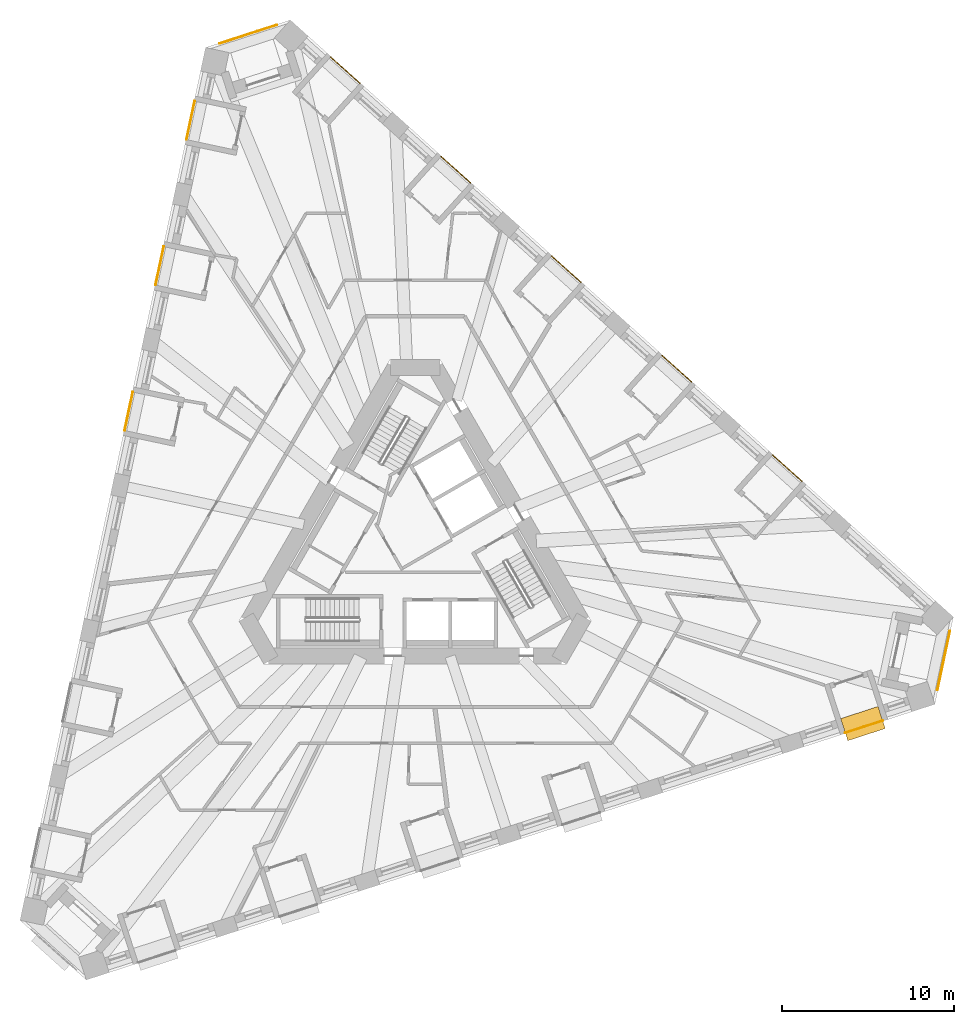
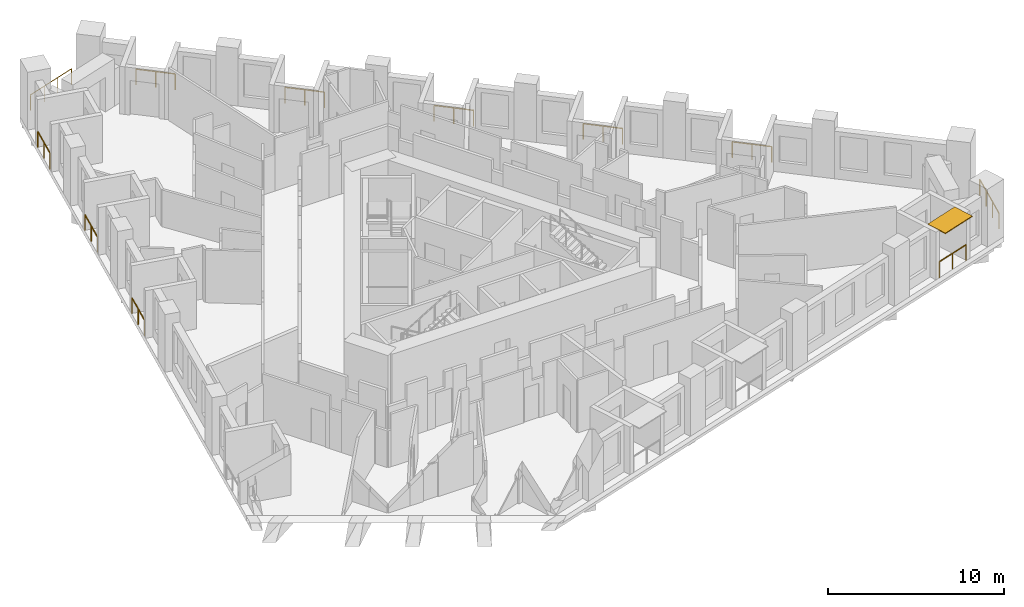
# One storey, part 13 of 13: 11 railings, 1 shading device.
"""IFC4 building model written with IfcOpenShell, lengths in metres."""

from ifc_helpers import new_model, si_unit, direction, frame, origin, origin_2d, place, context, subcontext, project, spatial, rectangle, circle, extrude, material, layer, layer_set, type_object, element, save


model = new_model("IFC4")

# Units and contexts
model_context = context("Model", 3, precision=1e-05, world=origin(), true_north=direction((0.0, 1.0)))
body_context = subcontext(model_context, "Body", "Model", "MODEL_VIEW")
ifc_project = project(units=[si_unit("LENGTHUNIT", "METRE"), si_unit("AREAUNIT", "SQUARE_METRE"), si_unit("VOLUMEUNIT", "CUBIC_METRE"), si_unit("PLANEANGLEUNIT", "RADIAN"), si_unit("MASSUNIT", "GRAM", prefix="KILO")], contexts=[model_context])

# Site, building, storey
site_placement = place(None, origin())
site = spatial("IfcSite", under=ifc_project, at=site_placement, CompositionType="ELEMENT")
building_placement = place(site_placement, origin())
building = spatial("IfcBuilding", under=site, at=building_placement, Name="Tramontana Tower", CompositionType="ELEMENT")
storey_placement = place(building_placement, frame((0.0, 0.0, 100.39990234375)))
storey = spatial("IfcBuildingStorey", under=building, at=storey_placement, Name="L22", CompositionType="ELEMENT", Elevation=100.39990234375)

# Railings
ifc_material_1 = material(Name="Laminated glass balustrade", Category="glass")
railing_type = type_object("IfcRailingType", Name="GD1 Loggia glass balustrade 1100", PredefinedType="BALUSTRADE", material=ifc_material_1)
railing_1_placement = place(storey_placement, frame((-12.838134765625, 26.031982421875, 0.0)))
element("IfcRailing", 1, at=railing_1_placement, inside=storey, type_object=railing_type, Name="Loggia balustrade L22 G2S0.1", PredefinedType="BALUSTRADE", context=body_context, shape_type="SweptSolid", body=[
    extrude(circle(Radius=0.02392578125, at=origin_2d()), frame((0.0, 0.0, 1.076171875), z_axis=(-0.207990282514, -0.978130892253, 0.0), x_axis=(0.978130892253, -0.207990282514, 0.0)), (0.0, 0.0, 1.0), 2.28662109375),
    extrude(circle(Radius=0.02099609375, at=origin_2d()), origin(), (0.0, 0.0, 1.0), 1.052001953125),
    extrude(circle(Radius=0.02099609375, at=origin_2d()), frame((-0.23779296875, -1.1181640625, 0.0)), (0.0, 0.0, 1.0), 1.052001953125),
    extrude(circle(Radius=0.02099609375, at=origin_2d()), frame((-0.4755859375, -2.236572265625, 0.0)), (0.0, 0.0, 1.0), 1.052001953125),
])
for number, where, name in (
    (2, (-14.638671875, 17.56103515625, 0.0), "Loggia balustrade L22 G2S0.4"),
    (3, (-16.439208984375, 9.090087890625, 0.0), "Loggia balustrade L22 G2S0.7"),
):
    element("IfcRailing", number, at=place(storey_placement, frame(where)), inside=storey, type_object=railing_type, Name=name, PredefinedType="BALUSTRADE", context=body_context, shape_type="SweptSolid", body=[
        extrude(circle(Radius=0.02392578125, at=origin_2d()), frame((0.0, 0.0, 1.076171875), z_axis=(-0.207968563016, -0.978135510447, 0.0), x_axis=(0.978135510447, -0.207968563016, 0.0)), (0.0, 0.0, 1.0), 2.286865234375),
        extrude(circle(Radius=0.02099609375, at=origin_2d()), origin(), (0.0, 0.0, 1.0), 1.052001953125),
        extrude(circle(Radius=0.02099609375, at=origin_2d()), frame((-0.23779296875, -1.118408203125, 0.0)), (0.0, 0.0, 1.0), 1.052001953125),
        extrude(circle(Radius=0.02099609375, at=origin_2d()), frame((-0.4755859375, -2.23681640625, 0.0)), (0.0, 0.0, 1.0), 1.052001953125),
    ])
railing_2_placement = place(storey_placement, frame((25.056640625, -10.75341796875, 0.0)))
element("IfcRailing", 4, at=railing_2_placement, inside=storey, type_object=railing_type, Name="Loggia balustrade L22 G2S1.16", PredefinedType="BALUSTRADE", context=body_context, shape_type="SweptSolid", body=[
    extrude(circle(Radius=0.02392578125, at=origin_2d()), frame((0.0, 0.0, 1.076171875), z_axis=(0.95103720697, 0.309076416051, 0.0), x_axis=(-0.309076416051, 0.95103720697, 0.0)), (0.0, 0.0, 1.0), 2.286865234375),
    extrude(circle(Radius=0.02099609375, at=origin_2d()), origin(), (0.0, 0.0, 1.0), 1.052001953125),
    extrude(circle(Radius=0.02099609375, at=origin_2d()), frame((1.08740234375, 0.353515625, 0.0)), (0.0, 0.0, 1.0), 1.052001953125),
    extrude(circle(Radius=0.02099609375, at=origin_2d()), frame((2.1748046875, 0.706787109375, 0.0)), (0.0, 0.0, 1.0), 1.052001953125),
])
for number, where, name in (
    (5, (22.527587890625, 3.89697265625, 0.0), "Loggia balustrade L22 G2S2.4"),
    (6, (16.091796875, 9.69189453125, 0.0), "Loggia balustrade L22 G2S2.7"),
):
    element("IfcRailing", number, at=place(storey_placement, frame(where)), inside=storey, type_object=railing_type, Name=name, PredefinedType="BALUSTRADE", context=body_context, shape_type="SweptSolid", body=[
        extrude(circle(Radius=0.02392578125, at=origin_2d()), frame((0.0, 0.0, 1.076171875), z_axis=(-0.743134851659, 0.66914168324, 0.0), x_axis=(-0.66914168324, -0.743134851659, 0.0)), (0.0, 0.0, 1.0), 2.28662109375),
        extrude(circle(Radius=0.02099609375, at=origin_2d()), origin(), (0.0, 0.0, 1.0), 1.052001953125),
        extrude(circle(Radius=0.02099609375, at=origin_2d()), frame((-0.849609375, 0.76513671875, 0.0)), (0.0, 0.0, 1.0), 1.052001953125),
        extrude(circle(Radius=0.02099609375, at=origin_2d()), frame((-1.69921875, 1.530029296875, 0.0)), (0.0, 0.0, 1.0), 1.052001953125),
    ])
railing_3_placement = place(storey_placement, frame((9.656005859375, 15.486572265625, 0.0)))
element("IfcRailing", 7, at=railing_3_placement, inside=storey, type_object=railing_type, Name="Loggia balustrade L22 G2S2.10", PredefinedType="BALUSTRADE", context=body_context, shape_type="SweptSolid", body=[
    extrude(circle(Radius=0.02392578125, at=origin_2d()), frame((0.0, 0.0, 1.076171875), z_axis=(-0.743081759278, 0.669200641832, 0.0), x_axis=(-0.669200641832, -0.743081759278, 0.0)), (0.0, 0.0, 1.0), 2.28662109375),
    extrude(circle(Radius=0.02099609375, at=origin_2d()), origin(), (0.0, 0.0, 1.0), 1.052001953125),
    extrude(circle(Radius=0.02099609375, at=origin_2d()), frame((-0.849609375, 0.76513671875, 0.0)), (0.0, 0.0, 1.0), 1.052001953125),
    extrude(circle(Radius=0.02099609375, at=origin_2d()), frame((-1.69921875, 1.5302734375, 0.0)), (0.0, 0.0, 1.0), 1.052001953125),
])
for number, where, name in (
    (8, (3.22021484375, 21.281494140625, 0.0), "Loggia balustrade L22 G2S2.13"),
    (9, (-3.215576171875, 27.076416015625, 0.0), "Loggia balustrade L22 G2S2.16"),
):
    element("IfcRailing", number, at=place(storey_placement, frame(where)), inside=storey, type_object=railing_type, Name=name, PredefinedType="BALUSTRADE", context=body_context, shape_type="SweptSolid", body=[
        extrude(circle(Radius=0.02392578125, at=origin_2d()), frame((0.0, 0.0, 1.076171875), z_axis=(-0.743182653308, 0.669088591909, 0.0), x_axis=(-0.669088591909, -0.743182653308, 0.0)), (0.0, 0.0, 1.0), 2.28662109375),
        extrude(circle(Radius=0.02099609375, at=origin_2d()), origin(), (0.0, 0.0, 1.0), 1.052001953125),
        extrude(circle(Radius=0.02099609375, at=origin_2d()), frame((-0.849609375, 0.76513671875, 0.0)), (0.0, 0.0, 1.0), 1.052001953125),
        extrude(circle(Radius=0.02099609375, at=origin_2d()), frame((-1.699462890625, 1.530029296875, 0.0)), (0.0, 0.0, 1.0), 1.052001953125),
    ])
railing_4_placement = place(storey_placement, frame((-11.38916015625, 29.388916015625, 0.0)))
element("IfcRailing", 10, at=railing_4_placement, inside=storey, type_object=railing_type, Name="Corner loggia balustrade L22 K20", PredefinedType="BALUSTRADE", context=body_context, shape_type="SweptSolid", body=[
    extrude(circle(Radius=0.02392578125, at=origin_2d()), frame((0.0, 0.0, 1.076171875), z_axis=(0.951062257173, 0.308999325213, 0.0), x_axis=(-0.308999325213, 0.951062257173, 0.0)), (0.0, 0.0, 1.0), 3.500244140625),
    extrude(circle(Radius=0.02099609375, at=origin_2d()), origin(), (0.0, 0.0, 1.0), 1.052001953125),
    extrude(circle(Radius=0.02099609375, at=origin_2d()), frame((1.109619140625, 0.360595703125, 0.0)), (0.0, 0.0, 1.0), 1.052001953125),
    extrude(circle(Radius=0.02099609375, at=origin_2d()), frame((2.21923828125, 0.720947265625, 0.0)), (0.0, 0.0, 1.0), 1.052001953125),
    extrude(circle(Radius=0.02099609375, at=origin_2d()), frame((3.328857421875, 1.08154296875, 0.0)), (0.0, 0.0, 1.0), 1.052001953125),
])
railing_5_placement = place(storey_placement, frame((31.146240234375, -4.831298828125, 0.0)))
element("IfcRailing", 11, at=railing_5_placement, inside=storey, type_object=railing_type, Name="Corner loggia balustrade L22 K22", PredefinedType="BALUSTRADE", context=body_context, shape_type="SweptSolid", body=[
    extrude(circle(Radius=0.02392578125, at=origin_2d()), frame((0.0, 0.0, 1.076171875), z_axis=(-0.207947190288, -0.978140054415, 0.0), x_axis=(0.978140054415, -0.207947190288, 0.0)), (0.0, 0.0, 1.0), 3.499755859375),
    extrude(circle(Radius=0.02099609375, at=origin_2d()), origin(), (0.0, 0.0, 1.0), 1.052001953125),
    extrude(circle(Radius=0.02099609375, at=origin_2d()), frame((-0.24267578125, -1.14111328125, 0.0)), (0.0, 0.0, 1.0), 1.052001953125),
    extrude(circle(Radius=0.02099609375, at=origin_2d()), frame((-0.485107421875, -2.2822265625, 0.0)), (0.0, 0.0, 1.0), 1.052001953125),
    extrude(circle(Radius=0.02099609375, at=origin_2d()), frame((-0.727783203125, -3.42333984375, 0.0)), (0.0, 0.0, 1.0), 1.052001953125),
])

# Shading device
ifc_material_2 = material(Name="Precast concrete 60 MPa", Category="concrete")
ifc_layer = layer(ifc_material_2, 0.06005859375)
ifc_layer_set = layer_set([ifc_layer], Name="SS1 Stone sunshade blade 60")
shading_device_type = type_object("IfcShadingDeviceType", Name="SS1 Stone sunshade blade 60", PredefinedType="USERDEFINED", material=ifc_layer_set)
shading_device_placement = place(storey_placement, frame((26.083740234375, -10.214599609375, 3.239990234375), z_axis=(0.0, 0.0, 1.0), x_axis=(0.951056516295, 0.309016994375, 0.0)))
element("IfcShadingDevice", 12, at=shading_device_placement, inside=storey, type_object=shading_device_type, Name="Sunshade L22 G2S1.16", ObjectType="SUNSHADE", PredefinedType="USERDEFINED", context=body_context, shape_type="SweptSolid", body=[
    extrude(rectangle(XDim=2.286865234375, YDim=1.35009765625, at=origin_2d()), origin(), (0.0, 0.0, 1.0), 0.06005859375),
])

save(model, "model.ifc")
